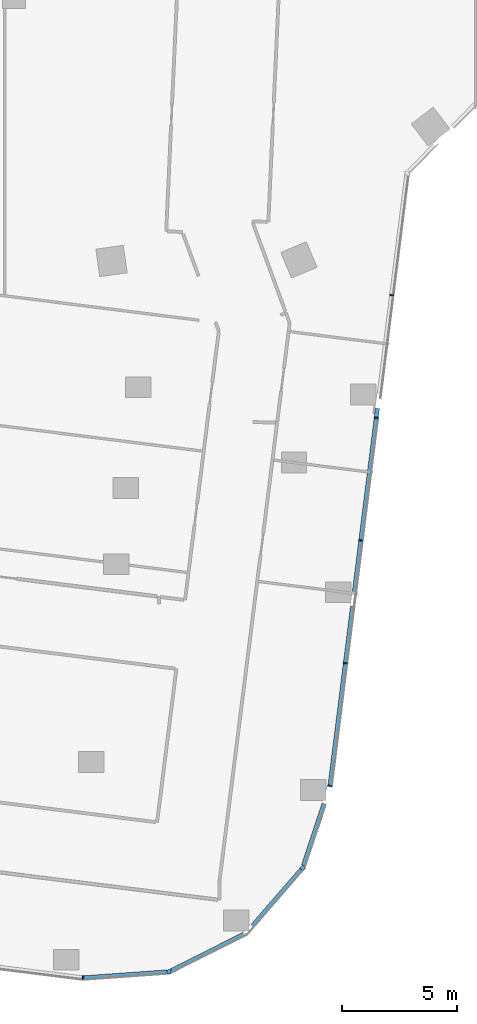
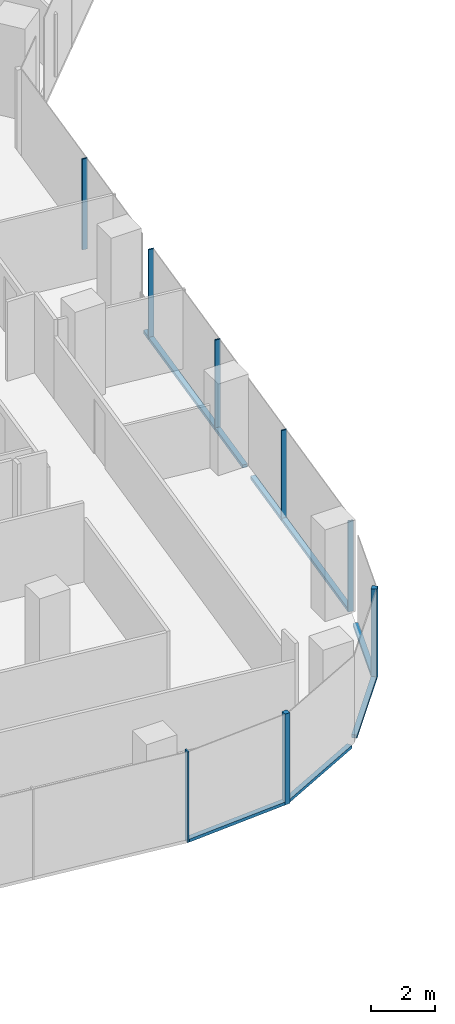
# One storey, part 4 of 27: 14 members, 6 elements without a shape of their own.
"""IFC4 building model written with IfcOpenShell, lengths in metres."""

import ifcopenshell
import ifcopenshell.guid

model = None  # the IFC model being written
_history = None  # IfcOwnerHistory: only IFC2X3 demands one
_inside = {}  # id of a spatial element -> (the spatial element, [elements in it])
_under = {}  # id of a project, library or spatial element -> (it, [spatial elements below it])
_declared = {}  # id of a project -> (the project, [libraries it declares])
_typed = {}  # id of a type object -> (the type object, [elements of that type])
_made_of = {}  # id of a material, layer set ... -> (it, [elements and type objects made of it])


def new_model(schema):
    """Start an empty IFC model of exactly this schema.

    Asked for "IFC4X3", IfcOpenShell would pick the latest addendum, in which some entities
    have other attributes; the version numbers below select the first issue.
    IFC2X3 requires an IfcOwnerHistory on every rooted entity: one is made here for all.
    """
    global model, _history
    if schema == "IFC4X3":
        model = ifcopenshell.file(schema_version=(4, 3, 0, 0))
    else:
        model = ifcopenshell.file(schema=schema)
    _inside.clear()
    _under.clear()
    _declared.clear()
    _typed.clear()
    _made_of.clear()
    _history = None
    if model.schema == "IFC2X3":
        org = make("IfcOrganization", Name="unknown")
        user = make(
            "IfcPersonAndOrganization",
            ThePerson=make("IfcPerson", FamilyName="unknown"),
            TheOrganization=org,
        )
        app = make(
            "IfcApplication",
            ApplicationDeveloper=org,
            Version="unknown",
            ApplicationFullName="unknown",
            ApplicationIdentifier="unknown",
        )
        _history = make(
            "IfcOwnerHistory",
            OwningUser=user,
            OwningApplication=app,
            ChangeAction="ADDED",
            CreationDate=0,
        )
    return model


def make(cls, **values):
    """One entity of the class cls with the attributes given. An attribute that is None is left unset."""
    return model.create_entity(
        cls, **{name: value for name, value in values.items() if value is not None}
    )


def rooted(cls, **values):
    """An entity with a GlobalId (a new one), such as an element, a storey or a relation."""
    return make(cls, GlobalId=ifcopenshell.guid.new(), OwnerHistory=_history, **values)


def si_unit(unit_type, name, prefix=None):
    """IfcSIUnit, for example si_unit("LENGTHUNIT", "METRE", prefix="MILLI")."""
    return make("IfcSIUnit", UnitType=unit_type, Prefix=prefix, Name=name)


def assignment(units):
    """IfcUnitAssignment: the units of a project."""
    return None if units is None else make("IfcUnitAssignment", Units=units)


def point(xyz):
    """IfcCartesianPoint."""
    return None if xyz is None else make("IfcCartesianPoint", Coordinates=xyz)


def direction(xyz):
    """IfcDirection."""
    return None if xyz is None else make("IfcDirection", DirectionRatios=xyz)


def frame(location, z_axis=None, x_axis=None):
    """IfcAxis2Placement3D, a coordinate frame: its origin and axes. An axis left out is left unset."""
    return make(
        "IfcAxis2Placement3D",
        Location=point(location),
        Axis=direction(z_axis),
        RefDirection=direction(x_axis),
    )


def frame_2d(location, x_axis=None):
    """IfcAxis2Placement2D, a coordinate frame in the plane: its origin and x axis."""
    return make(
        "IfcAxis2Placement2D", Location=point(location), RefDirection=direction(x_axis)
    )


def origin():
    """The frame at (0, 0, 0) with its axes left unset."""
    return frame((0.0, 0.0, 0.0))


def origin_2d():
    """The frame at (0, 0) in the plane with its x axis left unset."""
    return frame_2d((0.0, 0.0))


def place(relative_to, where):
    """IfcLocalPlacement: puts the frame where relative to a parent placement (None: the world)."""
    return make(
        "IfcLocalPlacement", PlacementRelTo=relative_to, RelativePlacement=where
    )


def context(
    kind, dimensions, precision=None, world=None, true_north=None, identifier=None
):
    """IfcGeometricRepresentationContext, for example the 3D "Model" context."""
    return make(
        "IfcGeometricRepresentationContext",
        ContextIdentifier=identifier,
        ContextType=kind,
        CoordinateSpaceDimension=dimensions,
        Precision=precision,
        WorldCoordinateSystem=world,
        TrueNorth=true_north,
    )


def subcontext(parent, identifier, kind, view, scale=None):
    """IfcGeometricRepresentationSubContext, for example "Body" below "Model"."""
    return make(
        "IfcGeometricRepresentationSubContext",
        ContextIdentifier=identifier,
        ContextType=kind,
        ParentContext=parent,
        TargetScale=scale,
        TargetView=view,
    )


def project(units=None, contexts=None):
    """IfcProject with its units and contexts."""
    return rooted(
        "IfcProject",
        Name="project",
        RepresentationContexts=contexts,
        UnitsInContext=assignment(units),
    )


def spatial(cls, under=None, at=None, **own):
    """A site, building, storey or space (cls), placed at a placement, below another one or the project."""
    s = rooted(cls, ObjectPlacement=at, **own)
    if under is not None:
        _under.setdefault(under.id(), (under, []))[1].append(s)
    return s


def profile(cls, at=None, kind="AREA", **sizes):
    """A parametric profile (cls). Its sizes go by their IFC names, for example OverallWidth=200.0."""
    return make(cls, ProfileType=kind, Position=at, **sizes)


def rectangle(**sizes):
    """IfcRectangleProfileDef."""
    return profile("IfcRectangleProfileDef", **sizes)


def extrude(swept, where, along, depth):
    """IfcExtrudedAreaSolid: the profile swept, set in the frame where, extruded along a direction by depth."""
    return make(
        "IfcExtrudedAreaSolid",
        SweptArea=swept,
        Position=where,
        ExtrudedDirection=direction(along),
        Depth=depth,
    )


def shape(context_of_items, identifier, shape_type, items):
    """IfcShapeRepresentation: the items that make up one representation, for example the "Body"."""
    return make(
        "IfcShapeRepresentation",
        ContextOfItems=context_of_items,
        RepresentationIdentifier=identifier,
        RepresentationType=shape_type,
        Items=items,
    )


def material(Name=None, Category=None):
    """IfcMaterial."""
    return make("IfcMaterial", Name=Name, Category=Category)


def material_profile(
    of_material, cross_section, Name=None, Category=None, Priority=None
):
    """IfcMaterialProfile: a cross section and its material."""
    return make(
        "IfcMaterialProfile",
        Name=Name,
        Material=of_material,
        Profile=cross_section,
        Priority=Priority,
        Category=Category,
    )


def profile_set(profiles, Name=None, composite=None):
    """IfcMaterialProfileSet."""
    return make(
        "IfcMaterialProfileSet",
        Name=Name,
        MaterialProfiles=profiles,
        CompositeProfile=composite,
    )


def made_of(thing, what):
    """Note that an element or type object is made of a material, layer set ...; save() writes the relation."""
    if what is not None:
        _made_of.setdefault(what.id(), (what, []))[1].append(thing)
    return thing


def type_object(cls, material=None, **own):
    """A type object (cls), such as IfcWallType, which elements share."""
    return made_of(rooted(cls, **own), material)


def element(
    cls,
    number,
    at=None,
    inside=None,
    cuts=None,
    type_object=None,
    material=None,
    context=None,
    identifier="Body",
    shape_type=None,
    held_by="IfcProductDefinitionShape",
    body=None,
    shapes=None,
    **own,
):
    """One element of the class cls, such as IfcWall. Its Tag is "e" and its number.

    at: its placement. inside: the storey or other place that contains it. cuts: it is an
    opening in that element (IfcRelVoidsElement). A single representation is given by context,
    identifier, shape_type and body (its items); several are given by shapes. held_by: the class
    of the entity that holds the representations. save() writes the other relations.
    """
    e = rooted(cls, Tag="e%d" % number, ObjectPlacement=at, **own)
    if body is not None:
        shapes = [shape(context, identifier, shape_type, body)]
    if shapes is not None:
        e.Representation = make(held_by, Representations=shapes)
    if inside is not None:
        _inside.setdefault(inside.id(), (inside, []))[1].append(e)
    if cuts is not None:
        rooted(
            "IfcRelVoidsElement", RelatingBuildingElement=cuts, RelatedOpeningElement=e
        )
    if type_object is not None:
        _typed.setdefault(type_object.id(), (type_object, []))[1].append(e)
    return made_of(e, material)


def aggregate(whole, parts):
    """IfcRelAggregates: a whole, such as a stair, and the parts it consists of."""
    return rooted("IfcRelAggregates", RelatingObject=whole, RelatedObjects=parts)


def save(model, path):
    """Write the relations noted so far, then the file.

    IfcRelAggregates (storeys below a building ...), IfcRelContainedInSpatialStructure (elements
    in a storey), IfcRelDefinesByType, IfcRelAssociatesMaterial and IfcRelDeclares: one each for
    every whole, place, type object, material and project.
    """
    for whole, parts in _under.values():
        aggregate(whole, parts)
    for where, things in _inside.values():
        rooted(
            "IfcRelContainedInSpatialStructure",
            RelatedElements=things,
            RelatingStructure=where,
        )
    for kind, things in _typed.values():
        rooted("IfcRelDefinesByType", RelatedObjects=things, RelatingType=kind)
    for what, things in _made_of.values():
        rooted("IfcRelAssociatesMaterial", RelatedObjects=things, RelatingMaterial=what)
    for by, libraries in _declared.values():
        rooted("IfcRelDeclares", RelatingContext=by, RelatedDefinitions=libraries)
    model.write(path)


model = new_model("IFC4")

# Units and contexts
model_context = context("Model", 3, precision=1e-05, world=origin(), true_north=direction((0.0, 1.0)))
body_context = subcontext(model_context, "Body", "Model", "MODEL_VIEW")
ifc_project = project(units=[si_unit("LENGTHUNIT", "METRE"), si_unit("AREAUNIT", "SQUARE_METRE"), si_unit("VOLUMEUNIT", "CUBIC_METRE"), si_unit("PLANEANGLEUNIT", "RADIAN"), si_unit("MASSUNIT", "GRAM", prefix="KILO")], contexts=[model_context])

# Site, building, storey
site_placement = place(None, origin())
site = spatial("IfcSite", under=ifc_project, at=site_placement, CompositionType="ELEMENT")
building_placement = place(site_placement, origin())
building = spatial("IfcBuilding", under=site, at=building_placement, Name="Orlundy Tower", CompositionType="ELEMENT")
storey_placement = place(building_placement, frame((0.0, 0.0, 199.10009765625)))
storey = spatial("IfcBuildingStorey", under=building, at=storey_placement, Name="L52", CompositionType="ELEMENT", Elevation=199.10009765625)

# Curtain wall, member
ifc_material_1 = material(Name="Aluminium bronze anodised", Category="aluminium")
curtain_wall_type = type_object("IfcCurtainWallType", Name="CW1 wall", PredefinedType="NOTDEFINED", material=ifc_material_1)
curtain_wall_1_placement = place(storey_placement, origin())
curtain_wall_1 = element("IfcCurtainWall", 1, at=curtain_wall_1_placement, inside=storey, type_object=curtain_wall_type, Name="CW1 run 020", PredefinedType="NOTDEFINED")
ifc_material_2 = material(Name="Aluminium bronze anodised", Category="aluminium")
ifc_material_profile_1 = material_profile(ifc_material_2, rectangle(XDim=0.179931640625, YDim=0.179931640625, at=origin_2d()), Name="CW1 corner post 180x180")
ifc_profile_set_1 = profile_set([ifc_material_profile_1], Name="Aluminium bronze anodised")
member_type_1 = type_object("IfcMemberType", Name="CW1 corner post 180x180", PredefinedType="MULLION", material=ifc_profile_set_1)
member_1_placement = place(storey_placement, frame((12.5146484375, -55.66650390625, -0.420166015625), z_axis=(0.0, 0.0, 1.0), x_axis=(0.755626772005, -0.655002428568, 0.0)))
member_1 = element("IfcMember", 2, at=member_1_placement, type_object=member_type_1, Name="CW1 mullion 50", PredefinedType="MULLION", context=body_context, shape_type="SweptSolid", body=[
    extrude(rectangle(XDim=0.179931640625, YDim=0.179931640625, at=origin_2d()), origin(), (0.0, 0.0, 1.0), 3.469970703125),
])

curtain_wall_2_placement = place(storey_placement, origin())
curtain_wall_2 = element("IfcCurtainWall", 3, at=curtain_wall_2_placement, inside=storey, type_object=curtain_wall_type, Name="CW1 run 022", PredefinedType="NOTDEFINED")
member_2_placement = place(storey_placement, frame((6.71630859375, -60.16943359375, -0.420166015625), z_axis=(0.0, 0.0, 1.0), x_axis=(0.071227876188, -0.997460069203, 0.0)))
member_2 = element("IfcMember", 4, at=member_2_placement, type_object=member_type_1, Name="CW1 mullion 52", PredefinedType="MULLION", context=body_context, shape_type="SweptSolid", body=[
    extrude(rectangle(XDim=0.179931640625, YDim=0.179931640625, at=origin_2d()), origin(), (0.0, 0.0, 1.0), 3.469970703125),
])

# Curtain wall, members
curtain_wall_3_placement = place(storey_placement, origin())
curtain_wall_3 = element("IfcCurtainWall", 5, at=curtain_wall_3_placement, inside=storey, type_object=curtain_wall_type, Name="CW1 run 018", PredefinedType="NOTDEFINED")
ifc_material_3 = material(Name="Aluminium bronze anodised", Category="aluminium")
ifc_material_profile_2 = material_profile(ifc_material_3, rectangle(XDim=0.179931640625, YDim=0.050048828125, at=origin_2d()), Name="CW1 mullion 50x180")
ifc_profile_set_2 = profile_set([ifc_material_profile_2], Name="Aluminium bronze anodised")
member_type_2 = type_object("IfcMemberType", Name="CW1 mullion 50x180", PredefinedType="MULLION", material=ifc_profile_set_2)
member_3_placement = place(storey_placement, frame((16.3681640625, -30.85595703125, -0.420166015625), z_axis=(0.0, 0.0, 1.0), x_axis=(0.992189164773, -0.124742379758, 0.0)))
member_3 = element("IfcMember", 6, at=member_3_placement, type_object=member_type_2, Name="CW1 mullion 45", PredefinedType="MULLION", context=body_context, shape_type="SweptSolid", body=[
    extrude(rectangle(XDim=0.179931640625, YDim=0.050048828125, at=origin_2d()), origin(), (0.0, 0.0, 1.0), 3.469970703125),
])
member_4_placement = place(storey_placement, frame((15.699951171875, -36.1708984375, -0.420166015625), z_axis=(0.0, 0.0, 1.0), x_axis=(0.992189164773, -0.124742379758, 0.0)))
member_4 = element("IfcMember", 7, at=member_4_placement, type_object=member_type_2, Name="CW1 mullion 46", PredefinedType="MULLION", context=body_context, shape_type="SweptSolid", body=[
    extrude(rectangle(XDim=0.179931640625, YDim=0.050048828125, at=origin_2d()), origin(), (0.0, 0.0, 1.0), 3.469970703125),
])
member_5_placement = place(storey_placement, frame((15.03173828125, -41.485595703125, -0.420166015625), z_axis=(0.0, 0.0, 1.0), x_axis=(0.992189164773, -0.124742379758, 0.0)))
member_5 = element("IfcMember", 8, at=member_5_placement, type_object=member_type_2, Name="CW1 mullion 47", PredefinedType="MULLION", context=body_context, shape_type="SweptSolid", body=[
    extrude(rectangle(XDim=0.179931640625, YDim=0.050048828125, at=origin_2d()), origin(), (0.0, 0.0, 1.0), 3.469970703125),
])
member_6_placement = place(storey_placement, frame((14.363525390625, -46.800537109375, -0.420166015625), z_axis=(0.0, 0.0, 1.0), x_axis=(0.992189164773, -0.124742379758, 0.0)))
member_6 = element("IfcMember", 9, at=member_6_placement, type_object=member_type_2, Name="CW1 mullion 48", PredefinedType="MULLION", context=body_context, shape_type="SweptSolid", body=[
    extrude(rectangle(XDim=0.179931640625, YDim=0.050048828125, at=origin_2d()), origin(), (0.0, 0.0, 1.0), 3.469970703125),
])

# Curtain wall, member
curtain_wall_4_placement = place(storey_placement, origin())
curtain_wall_4 = element("IfcCurtainWall", 10, at=curtain_wall_4_placement, inside=storey, type_object=curtain_wall_type, Name="CW1 run 019", PredefinedType="NOTDEFINED")
member_7_placement = place(storey_placement, frame((13.694091796875, -52.1240234375, -0.420166015625), z_axis=(0.0, 0.0, 1.0), x_axis=(0.975185541669, -0.22138915809, 0.0)))
member_7 = element("IfcMember", 11, at=member_7_placement, type_object=member_type_2, Name="CW1 mullion 49", PredefinedType="MULLION", context=body_context, shape_type="SweptSolid", body=[
    extrude(rectangle(XDim=0.179931640625, YDim=0.050048828125, at=origin_2d()), origin(), (0.0, 0.0, 1.0), 3.469970703125),
])

curtain_wall_5_placement = place(storey_placement, origin())
curtain_wall_5 = element("IfcCurtainWall", 12, at=curtain_wall_5_placement, inside=storey, type_object=curtain_wall_type, Name="CW1 run 023", PredefinedType="NOTDEFINED")
member_8_placement = place(storey_placement, frame((2.99267578125, -60.435302734375, -0.420166015625), z_axis=(0.0, 0.0, 1.0), x_axis=(-0.026896328745, -0.999638228311, 0.0)))
member_8 = element("IfcMember", 13, at=member_8_placement, type_object=member_type_2, Name="CW1 mullion 53", PredefinedType="MULLION", context=body_context, shape_type="SweptSolid", body=[
    extrude(rectangle(XDim=0.179931640625, YDim=0.050048828125, at=origin_2d()), origin(), (0.0, 0.0, 1.0), 3.469970703125),
])
aggregate(curtain_wall_5, [member_8])

# Member
ifc_material_4 = material(Name="Aluminium bronze anodised", Category="aluminium")
ifc_material_profile_3 = material_profile(ifc_material_4, rectangle(XDim=0.179931640625, YDim=0.1201171875, at=origin_2d()), Name="CW1 transom 180x120")
ifc_profile_set_3 = profile_set([ifc_material_profile_3], Name="Aluminium bronze anodised")
member_type_3 = type_object("IfcMemberType", Name="CW1 transom 180x120", PredefinedType="USERDEFINED", material=ifc_profile_set_3)
member_9_placement = place(storey_placement, frame((15.751220703125, -35.761962890625, -0.360107421875), z_axis=(-0.124745048398, -0.992188829256, 0.0), x_axis=(0.992188829256, -0.124745048398, 0.0)))
member_9 = element("IfcMember", 14, at=member_9_placement, type_object=member_type_3, Name="CW1 transom", ObjectType="TRANSOM", PredefinedType="USERDEFINED", context=body_context, shape_type="SweptSolid", body=[
    extrude(rectangle(XDim=0.179931640625, YDim=0.1201171875, at=origin_2d()), origin(), (0.0, 0.0, 1.0), 7.994873046875),
])

member_10_placement = place(storey_placement, frame((14.67431640625, -44.327880859375, -0.360107421875), z_axis=(-0.124744431686, -0.992188906793, 0.0), x_axis=(0.992188906793, -0.124744431686, 0.0)))
member_10 = element("IfcMember", 15, at=member_10_placement, type_object=member_type_3, Name="CW1 transom", ObjectType="TRANSOM", PredefinedType="USERDEFINED", context=body_context, shape_type="SweptSolid", body=[
    extrude(rectangle(XDim=0.179931640625, YDim=0.1201171875, at=origin_2d()), origin(), (0.0, 0.0, 1.0), 7.83251953125),
])

aggregate(curtain_wall_3, [member_3, member_4, member_5, member_6, member_9, member_10])

member_11_placement = place(storey_placement, frame((13.437744140625, -52.89404296875, -0.360107421875), z_axis=(-0.315916586295, -0.948786967925, 0.0), x_axis=(0.948786967925, -0.315916586295, 0.0)))
member_11 = element("IfcMember", 16, at=member_11_placement, type_object=member_type_3, Name="CW1 transom", ObjectType="TRANSOM", PredefinedType="USERDEFINED", context=body_context, shape_type="SweptSolid", body=[
    extrude(rectangle(XDim=0.179931640625, YDim=0.1201171875, at=origin_2d()), origin(), (0.0, 0.0, 1.0), 2.82470703125),
])

aggregate(curtain_wall_4, [member_7, member_11])

member_12_placement = place(storey_placement, frame((12.455810546875, -55.734375, -0.360107421875), z_axis=(-0.654962174083, -0.755661664054, 0.0), x_axis=(0.755661664054, -0.654962174083, 0.0)))
member_12 = element("IfcMember", 17, at=member_12_placement, type_object=member_type_3, Name="CW1 transom", ObjectType="TRANSOM", PredefinedType="USERDEFINED", context=body_context, shape_type="SweptSolid", body=[
    extrude(rectangle(XDim=0.179931640625, YDim=0.1201171875, at=origin_2d()), origin(), (0.0, 0.0, 1.0), 3.231689453125),
])

aggregate(curtain_wall_1, [member_1, member_12])

# Curtain wall, member
curtain_wall_6_placement = place(storey_placement, origin())
curtain_wall_6 = element("IfcCurtainWall", 18, at=curtain_wall_6_placement, inside=storey, type_object=curtain_wall_type, Name="CW1 run 021", PredefinedType="NOTDEFINED")
member_13_placement = place(storey_placement, frame((9.954345703125, -58.549072265625, -0.360107421875), z_axis=(-0.894260832401, -0.447546158103, 0.0), x_axis=(0.447546158103, -0.894260832401, 0.0)))
member_13 = element("IfcMember", 19, at=member_13_placement, type_object=member_type_3, Name="CW1 transom", ObjectType="TRANSOM", PredefinedType="USERDEFINED", context=body_context, shape_type="SweptSolid", body=[
    extrude(rectangle(XDim=0.179931640625, YDim=0.1201171875, at=origin_2d()), origin(), (0.0, 0.0, 1.0), 3.5234375),
])
aggregate(curtain_wall_6, [member_13])

# Member
member_14_placement = place(storey_placement, frame((6.62646484375, -60.176025390625, -0.360107421875), z_axis=(-0.997462808518, -0.071189505005, 0.0), x_axis=(0.071189505005, -0.997462808518, 0.0)))
member_14 = element("IfcMember", 20, at=member_14_placement, type_object=member_type_3, Name="CW1 transom", ObjectType="TRANSOM", PredefinedType="USERDEFINED", context=body_context, shape_type="SweptSolid", body=[
    extrude(rectangle(XDim=0.179931640625, YDim=0.1201171875, at=origin_2d()), origin(), (0.0, 0.0, 1.0), 3.6181640625),
])

aggregate(curtain_wall_2, [member_2, member_14])

save(model, "model.ifc")
